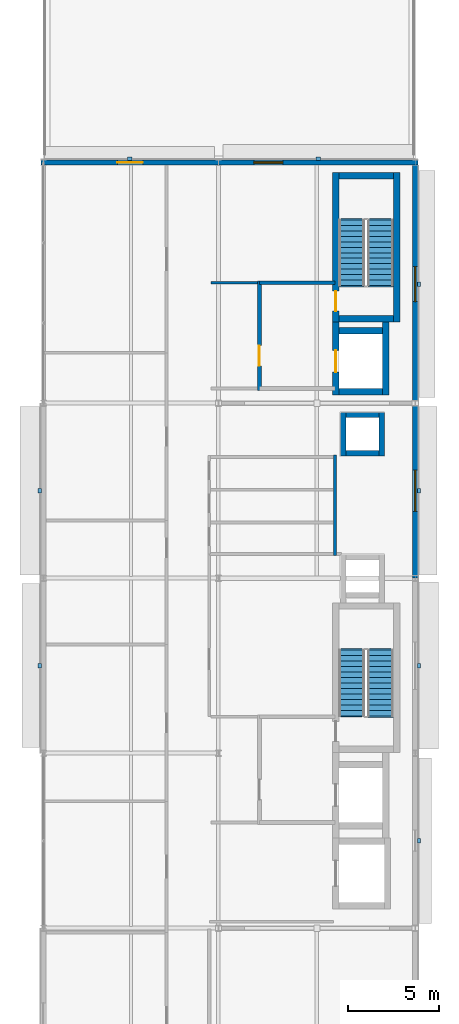
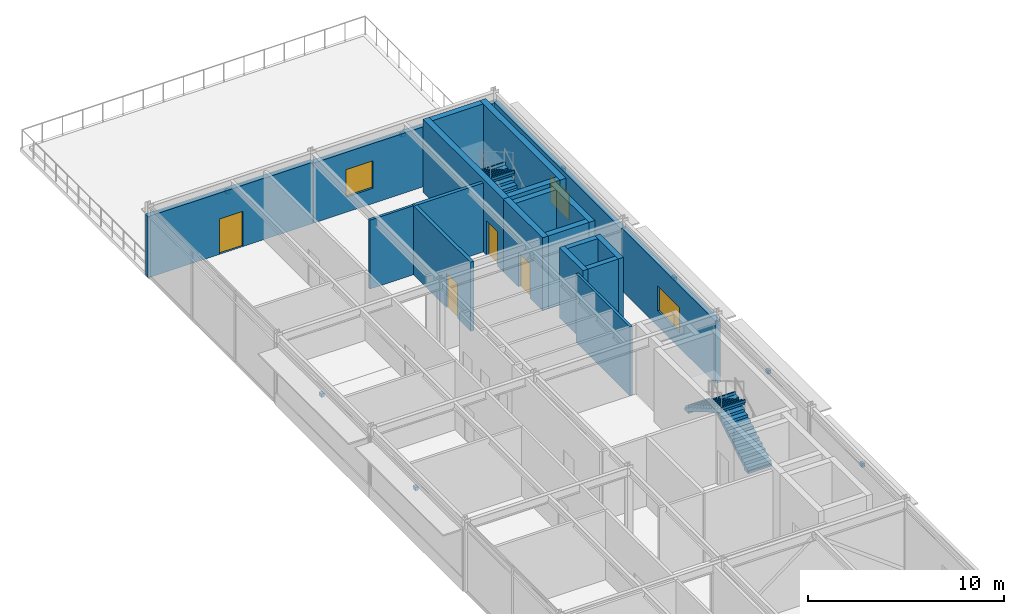
# One storey, part 15 of 18: 20 walls, 8 discrete accessories, 4 doors, 4 stair flights, 3 windows, 7 openings, 2 elements without a shape of their own.
"""IFC4 building model written with IfcOpenShell, lengths in metres."""

from ifc_helpers import new_model, si_unit, direction, frame, frame_2d, origin, origin_2d, place, context, subcontext, project, spatial, polyline, rectangle, outline, extrude, material, layer, layer_set, type_object, element, fill, aggregate, save


model = new_model("IFC4")

# Units and contexts
model_context = context("Model", 3, precision=1e-05, world=origin(), true_north=direction((0.0, 1.0)))
body_context = subcontext(model_context, "Body", "Model", "MODEL_VIEW")
ifc_project = project(units=[si_unit("LENGTHUNIT", "METRE"), si_unit("AREAUNIT", "SQUARE_METRE"), si_unit("VOLUMEUNIT", "CUBIC_METRE"), si_unit("PLANEANGLEUNIT", "RADIAN"), si_unit("MASSUNIT", "GRAM", prefix="KILO")], contexts=[model_context])

# Site, building, storey
site_placement = place(None, origin())
site = spatial("IfcSite", under=ifc_project, at=site_placement, CompositionType="ELEMENT")
building_placement = place(site_placement, origin())
building = spatial("IfcBuilding", under=site, at=building_placement, Name="Almandine Court Research Institute", CompositionType="ELEMENT")
storey_placement = place(building_placement, frame((0.0, 0.0, 37.10009765625)))
storey = spatial("IfcBuildingStorey", under=building, at=storey_placement, Name="L08", CompositionType="ELEMENT", Elevation=37.10009765625)

# Wall, opening, door
ifc_material_1 = material(Name="Insulated Ochre Terracotta Rainscreen Wall", Category="masonry")
ifc_layer_1 = layer(ifc_material_1, 0.2900390625)
ifc_layer_set_1 = layer_set([ifc_layer_1], Name="Insulated Ochre Terracotta Rainscreen Wall")
wall_type_1 = type_object("IfcWallType", Name="Wall-EXT-TERR-290", PredefinedType="SOLIDWALL", material=ifc_layer_set_1)
wall_1_placement = place(storey_placement, frame((153.455078125, 57.60009765625, 0.0), z_axis=(0.0, 0.0, 1.0), x_axis=(1.0, 0.0, 0.0)))
wall_1 = element("IfcWall", 1, at=wall_1_placement, inside=storey, type_object=wall_type_1, Name="L08 Wet Lab North Wall 1", PredefinedType="SOLIDWALL", context=body_context, shape_type="SweptSolid", body=[
    extrude(rectangle(XDim=9.740966796875, YDim=0.2900390625, at=frame_2d((4.87060546875, 0.0))), origin(), (0.0, 0.0, 1.0), 3.824951171875),
])
opening_1_placement = place(wall_1_placement, frame((4.199951171875, 0.0, 0.0)))
opening_1 = element("IfcOpeningElement", 2, at=opening_1_placement, cuts=wall_1, Name="Opening TD-01", PredefinedType="OPENING", context=body_context, shape_type="SweptSolid", body=[
    extrude(rectangle(XDim=1.39990234375, YDim=2.199951171875, at=frame_2d((0.699951171875, 1.10009765625))), frame((0.0, 0.155029296875, 0.0), z_axis=(0.0, -1.0, 0.0), x_axis=(1.0, 0.0, 0.0)), (0.0, 0.0, 1.0), 0.31005859375),
])
ifc_material_2 = material(Name="Thermally Broken Glazed Terrace Door")
door_type_1 = type_object("IfcDoorType", Name="Door-TER-1400", OperationType="DOUBLE_DOOR_SINGLE_SWING", PredefinedType="DOOR", material=ifc_material_2)
door_1_placement = place(opening_1_placement, origin())
door_1 = element("IfcDoor", 3, at=door_1_placement, inside=storey, type_object=door_type_1, Name="L08 Wet Lab North Roof Garden Door", OperationType="DOUBLE_DOOR_SINGLE_SWING", OverallHeight=2.199951171875, OverallWidth=1.39990234375, PredefinedType="DOOR", context=body_context, shape_type="SweptSolid", body=[
    extrude(rectangle(XDim=1.39990234375, YDim=2.199951171875, at=frame_2d((0.699951171875, 1.10009765625))), frame((0.0, 0.02490234375, 0.0), z_axis=(0.0, -1.0, 0.0), x_axis=(1.0, 0.0, 0.0)), (0.0, 0.0, 1.0), 0.050048828125),
])
fill(opening_1, door_1)

# Wall, opening, window
wall_2_placement = place(storey_placement, frame((163.2041015625, 57.60009765625, 0.0), z_axis=(0.0, 0.0, 1.0), x_axis=(1.0, 0.0, 0.0)))
wall_2 = element("IfcWall", 4, at=wall_2_placement, inside=storey, type_object=wall_type_1, Name="L08 Wet Lab North Wall 2", PredefinedType="SOLIDWALL", context=body_context, shape_type="SweptSolid", body=[
    extrude(rectangle(XDim=10.94091796875, YDim=0.2900390625, at=frame_2d((5.470458984375, 0.0))), origin(), (0.0, 0.0, 1.0), 3.746826171875),
])
opening_2_placement = place(wall_2_placement, frame((1.93505859375, 0.0, 0.949951171875)))
opening_2 = element("IfcOpeningElement", 5, at=opening_2_placement, cuts=wall_2, Name="Opening WN-62", PredefinedType="OPENING", context=body_context, shape_type="SweptSolid", body=[
    extrude(rectangle(XDim=1.60009765625, YDim=1.719970703125, at=frame_2d((0.800048828125, 0.85986328125))), frame((0.0, 0.155029296875, 0.0), z_axis=(0.0, -1.0, 0.0), x_axis=(1.0, 0.0, 0.0)), (0.0, 0.0, 1.0), 0.31005859375),
])
ifc_material_3 = material(Name="Thermally Broken Low-E Double-Glazed Window", Category="glass")
window_type_1 = type_object("IfcWindowType", Name="Win-WN-62-1600x1720", PartitioningType="SINGLE_PANEL", PredefinedType="WINDOW", material=ifc_material_3)
window_1_placement = place(opening_2_placement, origin())
window_1 = element("IfcWindow", 6, at=window_1_placement, inside=storey, type_object=window_type_1, Name="L08 Modular Recessed Low-E Window 185", OverallHeight=1.719970703125, OverallWidth=1.60009765625, PartitioningType="SINGLE_PANEL", PredefinedType="WINDOW", context=body_context, shape_type="SweptSolid", body=[
    extrude(rectangle(XDim=1.60009765625, YDim=1.719970703125, at=frame_2d((0.800048828125, 0.85986328125))), frame((0.0, 0.030029296875, 0.0), z_axis=(0.0, -1.0, 0.0), x_axis=(1.0, 0.0, 0.0)), (0.0, 0.0, 1.0), 0.06005859375),
])
fill(opening_2, window_1)

wall_3_placement = place(storey_placement, frame((174.0, 57.450927734375, 0.0), z_axis=(0.0, 0.0, 1.0), x_axis=(0.0, -1.0, 0.0)))
wall_3 = element("IfcWall", 7, at=wall_3_placement, inside=storey, type_object=wall_type_1, Name="L08 Wet Lab East Facade Wall 5", PredefinedType="SOLIDWALL", context=body_context, shape_type="SweptSolid", body=[
    extrude(rectangle(XDim=13.046875, YDim=0.2900390625, at=frame_2d((6.5234375, 0.0))), origin(), (0.0, 0.0, 1.0), 3.830810546875),
])
opening_3_placement = place(wall_3_placement, frame((5.55810546875, 0.0, 0.949951171875)))
opening_3 = element("IfcOpeningElement", 8, at=opening_3_placement, cuts=wall_3, Name="Opening WN-63", PredefinedType="OPENING", context=body_context, shape_type="SweptSolid", body=[
    extrude(rectangle(XDim=1.929931640625, YDim=1.639892578125, at=frame_2d((0.96484375, 0.81982421875))), frame((0.0, 0.155029296875, 0.0), z_axis=(0.0, -1.0, 0.0), x_axis=(1.0, 0.0, 0.0)), (0.0, 0.0, 1.0), 0.31005859375),
])
window_type_2 = type_object("IfcWindowType", Name="Win-WN-63-1930x1640", PartitioningType="SINGLE_PANEL", PredefinedType="WINDOW", material=ifc_material_3)
window_2_placement = place(opening_3_placement, origin())
window_2 = element("IfcWindow", 9, at=window_2_placement, inside=storey, type_object=window_type_2, Name="L08 Modular Recessed Low-E Window 186", OverallHeight=1.639892578125, OverallWidth=1.929931640625, PartitioningType="SINGLE_PANEL", PredefinedType="WINDOW", context=body_context, shape_type="SweptSolid", body=[
    extrude(rectangle(XDim=1.929931640625, YDim=1.639892578125, at=frame_2d((0.96484375, 0.81982421875))), frame((0.0, 0.030029296875, 0.0), z_axis=(0.0, -1.0, 0.0), x_axis=(1.0, 0.0, 0.0)), (0.0, 0.0, 1.0), 0.06005859375),
])
fill(opening_3, window_2)

wall_4_placement = place(storey_placement, frame((174.0, 44.39599609375, 0.0), z_axis=(0.0, 0.0, 1.0), x_axis=(0.0, -1.0, 0.0)))
wall_4 = element("IfcWall", 10, at=wall_4_placement, inside=storey, type_object=wall_type_1, Name="L08 Wet Lab East Facade Wall 4", PredefinedType="SOLIDWALL", context=body_context, shape_type="SweptSolid", body=[
    extrude(rectangle(XDim=9.592041015625, YDim=0.2900390625, at=frame_2d((4.7958984375, 0.0))), origin(), (0.0, 0.0, 1.0), 3.89892578125),
])
opening_4_placement = place(wall_4_placement, frame((3.666015625, 0.0, 0.949951171875)))
opening_4 = element("IfcOpeningElement", 11, at=opening_4_placement, cuts=wall_4, Name="Opening WN-64", PredefinedType="OPENING", context=body_context, shape_type="SweptSolid", body=[
    extrude(rectangle(XDim=2.260009765625, YDim=1.56005859375, at=frame_2d((1.1298828125, 0.780029296875))), frame((0.0, 0.155029296875, 0.0), z_axis=(0.0, -1.0, 0.0), x_axis=(1.0, 0.0, 0.0)), (0.0, 0.0, 1.0), 0.31005859375),
])
window_type_3 = type_object("IfcWindowType", Name="Win-WN-64-2260x1560", PartitioningType="SINGLE_PANEL", PredefinedType="WINDOW", material=ifc_material_3)
window_3_placement = place(opening_4_placement, origin())
window_3 = element("IfcWindow", 12, at=window_3_placement, inside=storey, type_object=window_type_3, Name="L08 Modular Recessed Low-E Window 187", OverallHeight=1.56005859375, OverallWidth=2.260009765625, PartitioningType="SINGLE_PANEL", PredefinedType="WINDOW", context=body_context, shape_type="SweptSolid", body=[
    extrude(rectangle(XDim=2.260009765625, YDim=1.56005859375, at=frame_2d((1.1298828125, 0.780029296875))), frame((0.0, 0.030029296875, 0.0), z_axis=(0.0, -1.0, 0.0), x_axis=(1.0, 0.0, 0.0)), (0.0, 0.0, 1.0), 0.06005859375),
])
fill(opening_4, window_3)

# Wall, opening, door
ifc_material_4 = material(Name="Two-Hour Fire-Barrier Enclosure Wall")
ifc_layer_2 = layer(ifc_material_4, 0.199951171875)
ifc_layer_set_2 = layer_set([ifc_layer_2], Name="Two-Hour Fire-Barrier Enclosure Wall")
wall_type_2 = type_object("IfcWallType", Name="Wall-FIRE-200", PredefinedType="SOLIDWALL", material=ifc_layer_set_2)
wall_5_placement = place(storey_placement, frame((165.449951171875, 45.10009765625, 0.0), z_axis=(0.0, 0.0, 1.0), x_axis=(0.0, 1.0, 0.0)))
wall_5 = element("IfcWall", 13, at=wall_5_placement, inside=storey, type_object=wall_type_2, Name="L08 Interior Partition W-FFL2-L08-W", PredefinedType="SOLIDWALL", context=body_context, shape_type="SweptSolid", body=[
    extrude(rectangle(XDim=6.0, YDim=0.199951171875, at=frame_2d((3.0, 0.0))), origin(), (0.0, 0.0, 1.0), 4.2998046875),
])
opening_5_placement = place(wall_5_placement, frame((1.35009765625, 0.0, 0.0)))
opening_5 = element("IfcOpeningElement", 14, at=opening_5_placement, cuts=wall_5, Name="Opening FD-FFL", PredefinedType="OPENING", context=body_context, shape_type="SweptSolid", body=[
    extrude(rectangle(XDim=1.10009765625, YDim=2.14990234375, at=frame_2d((0.550048828125, 1.074951171875))), frame((0.0, 0.10986328125, 0.0), z_axis=(0.0, -1.0, 0.0), x_axis=(1.0, 0.0, 0.0)), (0.0, 0.0, 1.0), 0.219970703125),
])
ifc_material_5 = material(Name="Smoke-Tight Firefighting Lobby Fire Door")
door_type_2 = type_object("IfcDoorType", Name="Door-FD-FFL-1100", OperationType="NOTDEFINED", PredefinedType="DOOR", material=ifc_material_5)
door_2_placement = place(opening_5_placement, origin())
door_2 = element("IfcDoor", 15, at=door_2_placement, inside=storey, type_object=door_type_2, Name="L08 Firefighting Lobby Fire Door 2", OperationType="SINGLE_SWING_RIGHT", OverallHeight=2.14990234375, OverallWidth=1.10009765625, PredefinedType="DOOR", context=body_context, shape_type="SweptSolid", body=[
    extrude(rectangle(XDim=1.10009765625, YDim=2.14990234375, at=frame_2d((0.550048828125, 1.074951171875))), frame((0.0, 0.02490234375, 0.0), z_axis=(0.0, -1.0, 0.0), x_axis=(1.0, 0.0, 0.0)), (0.0, 0.0, 1.0), 0.050048828125),
])
fill(opening_5, door_2)

# Walls
wall_6_placement = place(storey_placement, frame((165.449951171875, 51.0, 0.0), z_axis=(0.0, 0.0, 1.0), x_axis=(1.0, 0.0, 0.0)))
element("IfcWall", 16, at=wall_6_placement, inside=storey, type_object=wall_type_2, Name="L08 Interior Partition W-FFL2-L08-N", PredefinedType="SOLIDWALL", context=body_context, shape_type="SweptSolid", body=[
    extrude(rectangle(XDim=4.150146484375, YDim=0.199951171875, at=frame_2d((2.0751953125, 0.0))), origin(), (0.0, 0.0, 1.0), 4.2998046875),
])
ifc_material_6 = material(Name="Acoustic Steel-Stud Gypsum Partition Wall", Category="steel")
ifc_layer_3 = layer(ifc_material_6, 0.14990234375)
ifc_layer_set_3 = layer_set([ifc_layer_3], Name="Acoustic Steel-Stud Gypsum Partition Wall")
wall_type_3 = type_object("IfcWallType", Name="Wall-PART-150", PredefinedType="PARTITIONING", material=ifc_layer_set_3)
wall_7_placement = place(storey_placement, frame((169.60009765625, 36.050048828125, 0.0), z_axis=(0.0, 0.0, 1.0), x_axis=(0.0, 1.0, 0.0)))
element("IfcWall", 17, at=wall_7_placement, inside=storey, type_object=wall_type_3, Name="L08 Interior Partition W-V4-L08-WCEAST", PredefinedType="PARTITIONING", context=body_context, shape_type="SweptSolid", body=[
    extrude(rectangle(XDim=5.5, YDim=0.14990234375, at=frame_2d((2.75, 0.0))), origin(), (0.0, 0.0, 1.0), 4.2998046875),
])
wall_8_placement = place(storey_placement, frame((162.780029296875, 51.0, 0.0), z_axis=(0.0, 0.0, 1.0), x_axis=(1.0, 0.0, 0.0)))
element("IfcWall", 18, at=wall_8_placement, inside=storey, type_object=wall_type_3, Name="L08 Interior Partition W-V4-L08-FFL2-CN", PredefinedType="PARTITIONING", context=body_context, shape_type="SweptSolid", body=[
    extrude(rectangle(XDim=2.570068359375, YDim=0.14990234375, at=frame_2d((1.28515625, 0.0))), origin(), (0.0, 0.0, 1.0), 4.2998046875),
])
ifc_material_7 = material(Name="Concrete C40/50", Category="concrete")
ifc_layer_4 = layer(ifc_material_7, 0.300048828125)
ifc_layer_set_4 = layer_set([ifc_layer_4], Name="Concrete C40/50")
wall_type_4 = type_object("IfcWallType", Name="Wall-SW-CORE-300", PredefinedType="SHEAR", material=ifc_layer_set_4)
wall_9_placement = place(storey_placement, frame((170.050048828125, 41.5, 0.0), z_axis=(0.0, 0.0, 1.0), x_axis=(0.0, 1.0, 0.0)))
element("IfcWall", 19, at=wall_9_placement, inside=storey, type_object=wall_type_4, Name="L08 MEP Riser RS-V4B W Shear Wall", PredefinedType="SHEAR", context=body_context, shape_type="SweptSolid", body=[
    extrude(rectangle(XDim=2.39990234375, YDim=0.300048828125, at=frame_2d((1.199951171875, 0.0))), origin(), (0.0, 0.0, 1.0), 4.369873046875),
])
wall_10_placement = place(storey_placement, frame((170.199951171875, 43.75, 0.0), z_axis=(0.0, 0.0, 1.0), x_axis=(1.0, 0.0, 0.0)))
element("IfcWall", 20, at=wall_10_placement, inside=storey, type_object=wall_type_4, Name="L08 MEP Riser RS-V4B N Shear Wall", PredefinedType="SHEAR", context=body_context, shape_type="SweptSolid", body=[
    extrude(rectangle(XDim=1.800048828125, YDim=0.300048828125, at=frame_2d((0.89990234375, 0.0))), origin(), (0.0, 0.0, 1.0), 4.369873046875),
])
wall_11_placement = place(storey_placement, frame((172.14990234375, 43.89990234375, 0.0), z_axis=(0.0, 0.0, 1.0), x_axis=(0.0, -1.0, 0.0)))
element("IfcWall", 21, at=wall_11_placement, inside=storey, type_object=wall_type_4, Name="L08 MEP Riser RS-V4B E Shear Wall", PredefinedType="SHEAR", context=body_context, shape_type="SweptSolid", body=[
    extrude(rectangle(XDim=2.39990234375, YDim=0.300048828125, at=frame_2d((1.199951171875, 0.0))), origin(), (0.0, 0.0, 1.0), 4.369873046875),
])
wall_12_placement = place(storey_placement, frame((172.0, 41.64990234375, 0.0), z_axis=(0.0, 0.0, 1.0), x_axis=(-1.0, 0.0, 0.0)))
element("IfcWall", 22, at=wall_12_placement, inside=storey, type_object=wall_type_4, Name="L08 MEP Riser RS-V4B S Shear Wall", PredefinedType="SHEAR", context=body_context, shape_type="SweptSolid", body=[
    extrude(rectangle(XDim=1.800048828125, YDim=0.300048828125, at=frame_2d((0.89990234375, 0.0))), origin(), (0.0, 0.0, 1.0), 4.369873046875),
])

# Wall, opening, door
ifc_layer_5 = layer(ifc_material_7, 0.35009765625)
ifc_layer_set_5 = layer_set([ifc_layer_5], Name="Concrete C40/50")
wall_type_5 = type_object("IfcWallType", Name="Wall-SW-CORE-350", PredefinedType="SHEAR", material=ifc_layer_set_5)
wall_13_placement = place(storey_placement, frame((169.625, 48.85009765625, 0.0), z_axis=(0.0, 0.0, 1.0), x_axis=(0.0, 1.0, 0.0)))
wall_13 = element("IfcWall", 23, at=wall_13_placement, inside=storey, type_object=wall_type_5, Name="L08 ST-08 W Shear Wall", PredefinedType="SHEAR", context=body_context, shape_type="SweptSolid", body=[
    extrude(rectangle(XDim=8.199951171875, YDim=0.35009765625, at=frame_2d((4.10009765625, 0.0))), origin(), (0.0, 0.0, 1.0), 4.5498046875),
])
opening_6_placement = place(wall_13_placement, frame((0.60009765625, 0.0, 0.0)))
opening_6 = element("IfcOpeningElement", 24, at=opening_6_placement, cuts=wall_13, Name="Opening FD-STAIR", PredefinedType="OPENING", context=body_context, shape_type="SweptSolid", body=[
    extrude(rectangle(XDim=1.10009765625, YDim=2.14990234375, at=frame_2d((0.550048828125, 1.074951171875))), frame((0.0, 0.18505859375, 0.0), z_axis=(0.0, -1.0, 0.0), x_axis=(1.0, 0.0, 0.0)), (0.0, 0.0, 1.0), 0.3701171875),
])
ifc_material_8 = material(Name="Self-Closing Steel Exit Stair Fire Door", Category="steel")
door_type_3 = type_object("IfcDoorType", Name="Door-FD-STAIR-1100", OperationType="NOTDEFINED", PredefinedType="DOOR", material=ifc_material_8)
door_3_placement = place(opening_6_placement, origin())
door_3 = element("IfcDoor", 25, at=door_3_placement, inside=storey, type_object=door_type_3, Name="L08 Exit Stair ST-08 Fire Door", OperationType="SINGLE_SWING_LEFT", OverallHeight=2.14990234375, OverallWidth=1.10009765625, PredefinedType="DOOR", context=body_context, shape_type="SweptSolid", body=[
    extrude(rectangle(XDim=1.10009765625, YDim=2.14990234375, at=frame_2d((0.550048828125, 1.074951171875))), frame((0.0, 0.02490234375, 0.0), z_axis=(0.0, -1.0, 0.0), x_axis=(1.0, 0.0, 0.0)), (0.0, 0.0, 1.0), 0.050048828125),
])
fill(opening_6, door_3)

# Walls
wall_14_placement = place(storey_placement, frame((169.800048828125, 56.875, 0.0), z_axis=(0.0, 0.0, 1.0), x_axis=(1.0, 0.0, 0.0)))
element("IfcWall", 26, at=wall_14_placement, inside=storey, type_object=wall_type_5, Name="L08 ST-08 N Shear Wall", PredefinedType="SHEAR", context=body_context, shape_type="SweptSolid", body=[
    extrude(rectangle(XDim=3.0, YDim=0.35009765625, at=frame_2d((1.5, 0.0))), origin(), (0.0, 0.0, 1.0), 4.5498046875),
])
wall_15_placement = place(storey_placement, frame((172.97509765625, 57.050048828125, 0.0), z_axis=(0.0, 0.0, 1.0), x_axis=(0.0, -1.0, 0.0)))
element("IfcWall", 27, at=wall_15_placement, inside=storey, type_object=wall_type_5, Name="L08 ST-08 E Shear Wall", PredefinedType="SHEAR", context=body_context, shape_type="SweptSolid", body=[
    extrude(rectangle(XDim=8.199951171875, YDim=0.35009765625, at=frame_2d((4.10009765625, 0.0))), origin(), (0.0, 0.0, 1.0), 4.5498046875),
])
wall_16_placement = place(storey_placement, frame((172.800048828125, 49.02490234375, 0.0), z_axis=(0.0, 0.0, 1.0), x_axis=(-1.0, 0.0, 0.0)))
element("IfcWall", 28, at=wall_16_placement, inside=storey, type_object=wall_type_5, Name="L08 ST-08 S Shear Wall", PredefinedType="SHEAR", context=body_context, shape_type="SweptSolid", body=[
    extrude(rectangle(XDim=3.0, YDim=0.35009765625, at=frame_2d((1.5, 0.0))), origin(), (0.0, 0.0, 1.0), 4.5498046875),
])

# Wall, opening, door
wall_17_placement = place(storey_placement, frame((169.625, 44.85009765625, 0.0), z_axis=(0.0, 0.0, 1.0), x_axis=(0.0, 1.0, 0.0)))
wall_17 = element("IfcWall", 29, at=wall_17_placement, inside=storey, type_object=wall_type_5, Name="L08 FL-02 Hoistway W Shear Wall", PredefinedType="SHEAR", context=body_context, shape_type="SweptSolid", body=[
    extrude(rectangle(XDim=4.0, YDim=0.35009765625, at=frame_2d((2.0, 0.0))), origin(), (0.0, 0.0, 1.0), 4.5498046875),
])
opening_7_placement = place(wall_17_placement, frame((1.25, 0.0, 0.0)))
opening_7 = element("IfcOpeningElement", 30, at=opening_7_placement, cuts=wall_17, Name="Opening LD-02", PredefinedType="OPENING", context=body_context, shape_type="SweptSolid", body=[
    extrude(rectangle(XDim=1.199951171875, YDim=2.14990234375, at=frame_2d((0.60009765625, 1.074951171875))), frame((0.0, 0.18505859375, 0.0), z_axis=(0.0, -1.0, 0.0), x_axis=(1.0, 0.0, 0.0)), (0.0, 0.0, 1.0), 0.3701171875),
])
ifc_material_9 = material(Name="Firefighting Lift Landing Sliding Door")
door_type_4 = type_object("IfcDoorType", Name="Door-LD-FSAE-1200", OperationType="SLIDING_TO_LEFT", PredefinedType="USERDEFINED", material=ifc_material_9)
door_4_placement = place(opening_7_placement, origin())
door_4 = element("IfcDoor", 31, at=door_4_placement, inside=storey, type_object=door_type_4, Name="L08 Firefighting Lift FL-02 Sliding Landing Door", ObjectType="LANDING DOOR", OperationType="SLIDING_TO_LEFT", OverallHeight=2.14990234375, OverallWidth=1.199951171875, PredefinedType="USERDEFINED", context=body_context, shape_type="SweptSolid", body=[
    extrude(rectangle(XDim=1.199951171875, YDim=2.14990234375, at=frame_2d((0.60009765625, 1.074951171875))), frame((0.0, 0.02490234375, 0.0), z_axis=(0.0, -1.0, 0.0), x_axis=(1.0, 0.0, 0.0)), (0.0, 0.0, 1.0), 0.050048828125),
])
fill(opening_7, door_4)

# Walls
wall_18_placement = place(storey_placement, frame((169.800048828125, 48.375, 0.0), z_axis=(0.0, 0.0, 1.0), x_axis=(1.0, 0.0, 0.0)))
element("IfcWall", 32, at=wall_18_placement, inside=storey, type_object=wall_type_5, Name="L08 FL-02 Hoistway N Shear Wall", PredefinedType="SHEAR", context=body_context, shape_type="SweptSolid", body=[
    extrude(rectangle(XDim=2.39990234375, YDim=0.35009765625, at=frame_2d((1.199951171875, 0.0))), origin(), (0.0, 0.0, 1.0), 4.5498046875),
])
wall_19_placement = place(storey_placement, frame((172.375, 48.85009765625, 0.0), z_axis=(0.0, 0.0, 1.0), x_axis=(0.0, -1.0, 0.0)))
element("IfcWall", 33, at=wall_19_placement, inside=storey, type_object=wall_type_5, Name="L08 FL-02 Hoistway E Shear Wall", PredefinedType="SHEAR", context=body_context, shape_type="SweptSolid", body=[
    extrude(rectangle(XDim=4.0, YDim=0.35009765625, at=frame_2d((2.0, 0.0))), origin(), (0.0, 0.0, 1.0), 4.5498046875),
])
wall_20_placement = place(storey_placement, frame((172.199951171875, 45.02490234375, 0.0), z_axis=(0.0, 0.0, 1.0), x_axis=(-1.0, 0.0, 0.0)))
element("IfcWall", 34, at=wall_20_placement, inside=storey, type_object=wall_type_5, Name="L08 FL-02 Hoistway S Shear Wall", PredefinedType="SHEAR", context=body_context, shape_type="SweptSolid", body=[
    extrude(rectangle(XDim=2.39990234375, YDim=0.35009765625, at=frame_2d((1.199951171875, 0.0))), origin(), (0.0, 0.0, 1.0), 4.5498046875),
])

# Stair, stair flights
ifc_material_10 = material(Name="Concrete C35/45", Category="concrete")
stair_type = type_object("IfcStairType", Name="Stair-Core-26R", PredefinedType="HALF_TURN_STAIR", material=ifc_material_10)
stair_1_placement = place(storey_placement, origin())
stair_1 = element("IfcStair", 35, at=stair_1_placement, inside=storey, type_object=stair_type, Name="L08 Wet Lab South High-Rise Core Stair", PredefinedType="HALF_TURN_STAIR")
stair_flight_type = type_object("IfcStairFlightType", Name="Flight-Core-26R", PredefinedType="STRAIGHT", material=ifc_material_10)
stair_flight_1_placement = place(storey_placement, frame((172.090087890625, 27.25, 0.0), z_axis=(0.0, 0.0, 1.0), x_axis=(0.0, 1.0, 0.0)))
stair_flight_1 = element("IfcStairFlight", 36, at=stair_flight_1_placement, type_object=stair_flight_type, Name="ST-07 flight 1", NumberOfRisers=13, NumberOfTreads=12, PredefinedType="STRAIGHT", RiserHeight=0.175, TreadLength=0.3, context=body_context, shape_type="SweptSolid", body=[
    extrude(outline(polyline([(-0.080078125, -0.139892578125), (-0.080078125, 0.0), (0.0, 0.0), (0.0, 0.175048828125), (0.300048828125, 0.175048828125), (0.300048828125, 0.35009765625), (0.60009765625, 0.35009765625), (0.60009765625, 0.52490234375), (0.89990234375, 0.52490234375), (0.89990234375, 0.699951171875), (1.199951171875, 0.699951171875), (1.199951171875, 0.875), (1.5, 0.875), (1.5, 1.050048828125), (1.800048828125, 1.050048828125), (1.800048828125, 1.22509765625), (2.10009765625, 1.22509765625), (2.10009765625, 1.39990234375), (2.39990234375, 1.39990234375), (2.39990234375, 1.574951171875), (2.699951171875, 1.574951171875), (2.699951171875, 1.75), (3.0, 1.75), (3.0, 1.925048828125), (3.300048828125, 1.925048828125), (3.300048828125, 2.10009765625), (3.60009765625, 2.10009765625), (3.60009765625, 2.27490234375), (3.679931640625, 2.27490234375), (3.679931640625, 2.114990234375), (3.60009765625, 1.914794921875), (0.3173828125, 0.0), (0.3173828125, -0.139892578125), (-0.080078125, -0.139892578125)])), frame((0.0, 0.7099609375, 0.0), z_axis=(0.0, -1.0, 0.0), x_axis=(1.0, 0.0, 0.0)), (0.0, 0.0, 1.0), 1.419921875),
])
stair_flight_2_placement = place(storey_placement, frame((170.510009765625, 30.85009765625, 2.27490234375), z_axis=(0.0, 0.0, 1.0), x_axis=(0.0, -1.0, 0.0)))
stair_flight_2 = element("IfcStairFlight", 37, at=stair_flight_2_placement, type_object=stair_flight_type, Name="ST-07 flight 2", NumberOfRisers=13, NumberOfTreads=12, PredefinedType="STRAIGHT", RiserHeight=0.175, TreadLength=0.3, context=body_context, shape_type="SweptSolid", body=[
    extrude(outline(polyline([(-0.080078125, -0.139892578125), (-0.080078125, 0.0), (0.0, 0.0), (0.0, 0.175048828125), (0.300048828125, 0.175048828125), (0.300048828125, 0.35009765625), (0.60009765625, 0.35009765625), (0.60009765625, 0.52490234375), (0.89990234375, 0.52490234375), (0.89990234375, 0.699951171875), (1.199951171875, 0.699951171875), (1.199951171875, 0.875), (1.5, 0.875), (1.5, 1.050048828125), (1.800048828125, 1.050048828125), (1.800048828125, 1.22509765625), (2.10009765625, 1.22509765625), (2.10009765625, 1.39990234375), (2.39990234375, 1.39990234375), (2.39990234375, 1.574951171875), (2.699951171875, 1.574951171875), (2.699951171875, 1.75), (3.0, 1.75), (3.0, 1.925048828125), (3.300048828125, 1.925048828125), (3.300048828125, 2.10009765625), (3.60009765625, 2.10009765625), (3.60009765625, 2.27490234375), (3.679931640625, 2.27490234375), (3.679931640625, 2.114990234375), (3.60009765625, 1.914794921875), (0.3173828125, 0.0), (0.3173828125, -0.139892578125), (-0.080078125, -0.139892578125)])), frame((0.0, 0.7099609375, 0.0), z_axis=(0.0, -1.0, 0.0), x_axis=(1.0, 0.0, 0.0)), (0.0, 0.0, 1.0), 1.419921875),
])
aggregate(stair_1, [stair_flight_1, stair_flight_2])

stair_2_placement = place(storey_placement, origin())
stair_2 = element("IfcStair", 38, at=stair_2_placement, inside=storey, type_object=stair_type, Name="L08 Wet Lab Central High-Rise Core Stair", PredefinedType="HALF_TURN_STAIR")
stair_flight_3_placement = place(storey_placement, frame((172.090087890625, 50.85009765625, 0.0), z_axis=(0.0, 0.0, 1.0), x_axis=(0.0, 1.0, 0.0)))
stair_flight_3 = element("IfcStairFlight", 39, at=stair_flight_3_placement, type_object=stair_flight_type, Name="ST-08 flight 1", NumberOfRisers=13, NumberOfTreads=12, PredefinedType="STRAIGHT", RiserHeight=0.175, TreadLength=0.3, context=body_context, shape_type="SweptSolid", body=[
    extrude(outline(polyline([(-0.080078125, -0.139892578125), (-0.080078125, 0.0), (0.0, 0.0), (0.0, 0.175048828125), (0.300048828125, 0.175048828125), (0.300048828125, 0.35009765625), (0.60009765625, 0.35009765625), (0.60009765625, 0.52490234375), (0.89990234375, 0.52490234375), (0.89990234375, 0.699951171875), (1.199951171875, 0.699951171875), (1.199951171875, 0.875), (1.5, 0.875), (1.5, 1.050048828125), (1.800048828125, 1.050048828125), (1.800048828125, 1.22509765625), (2.10009765625, 1.22509765625), (2.10009765625, 1.39990234375), (2.39990234375, 1.39990234375), (2.39990234375, 1.574951171875), (2.699951171875, 1.574951171875), (2.699951171875, 1.75), (3.0, 1.75), (3.0, 1.925048828125), (3.300048828125, 1.925048828125), (3.300048828125, 2.10009765625), (3.60009765625, 2.10009765625), (3.60009765625, 2.27490234375), (3.679931640625, 2.27490234375), (3.679931640625, 2.114990234375), (3.60009765625, 1.914794921875), (0.3173828125, 0.0), (0.3173828125, -0.139892578125), (-0.080078125, -0.139892578125)])), frame((0.0, 0.7099609375, 0.0), z_axis=(0.0, -1.0, 0.0), x_axis=(1.0, 0.0, 0.0)), (0.0, 0.0, 1.0), 1.419921875),
])
stair_flight_4_placement = place(storey_placement, frame((170.510009765625, 54.449951171875, 2.27490234375), z_axis=(0.0, 0.0, 1.0), x_axis=(0.0, -1.0, 0.0)))
stair_flight_4 = element("IfcStairFlight", 40, at=stair_flight_4_placement, type_object=stair_flight_type, Name="ST-08 flight 2", NumberOfRisers=13, NumberOfTreads=12, PredefinedType="STRAIGHT", RiserHeight=0.175, TreadLength=0.3, context=body_context, shape_type="SweptSolid", body=[
    extrude(outline(polyline([(-0.080078125, -0.139892578125), (-0.080078125, 0.0), (0.0, 0.0), (0.0, 0.175048828125), (0.300048828125, 0.175048828125), (0.300048828125, 0.35009765625), (0.60009765625, 0.35009765625), (0.60009765625, 0.52490234375), (0.89990234375, 0.52490234375), (0.89990234375, 0.699951171875), (1.199951171875, 0.699951171875), (1.199951171875, 0.875), (1.5, 0.875), (1.5, 1.050048828125), (1.800048828125, 1.050048828125), (1.800048828125, 1.22509765625), (2.10009765625, 1.22509765625), (2.10009765625, 1.39990234375), (2.39990234375, 1.39990234375), (2.39990234375, 1.574951171875), (2.699951171875, 1.574951171875), (2.699951171875, 1.75), (3.0, 1.75), (3.0, 1.925048828125), (3.300048828125, 1.925048828125), (3.300048828125, 2.10009765625), (3.60009765625, 2.10009765625), (3.60009765625, 2.27490234375), (3.679931640625, 2.27490234375), (3.679931640625, 2.114990234375), (3.60009765625, 1.914794921875), (0.3173828125, 0.0), (0.3173828125, -0.139892578125), (-0.080078125, -0.139892578125)])), frame((0.0, 0.7099609375, 0.0), z_axis=(0.0, -1.0, 0.0), x_axis=(1.0, 0.0, 0.0)), (0.0, 0.0, 1.0), 1.419921875),
])
aggregate(stair_2, [stair_flight_3, stair_flight_4])

# Discrete accessories
ifc_material_11 = material(Name="Galvanised Steel Facade Outrigger Bracket", Category="steel")
ifc_layer_6 = layer(ifc_material_11, 0.219970703125)
ifc_layer_set_6 = layer_set([ifc_layer_6], Name="Galvanised Steel Facade Outrigger Bracket")
discrete_accessory_type = type_object("IfcDiscreteAccessoryType", Name="Acc-CHJ-BRACKET", PredefinedType="BRACKET", material=ifc_layer_set_6)
for number, where, z_axis, x_axis, name in (
    (41, (153.39501953125, 30.0, 3.47802734375), (0.0, 0.0, 1.0), (0.0, 1.0, 0.0), "L08 Chhajja Outrigger Bracket 159"),
    (42, (153.39501953125, 39.60009765625, 3.47802734375), (0.0, 0.0, 1.0), (0.0, 1.0, 0.0), "L08 Chhajja Outrigger Bracket 160"),
    (43, (158.325927734375, 57.804931640625, 3.39501953125), (0.0, 0.0, 1.0), (1.0, 0.0, 0.0), "L08 Chhajja Outrigger Bracket 161"),
    (44, (168.675048828125, 57.804931640625, 3.31689453125), (0.0, 0.0, 1.0), (1.0, 0.0, 0.0), "L08 Chhajja Outrigger Bracket 162"),
    (45, (174.205078125, 50.927978515625, 3.40087890625), (0.0, 0.0, 1.0), (0.0, -1.0, 0.0), "L08 Chhajja Outrigger Bracket 163"),
    (46, (174.205078125, 39.60009765625, 3.46875), (0.0, 0.0, 1.0), (0.0, -1.0, 0.0), "L08 Chhajja Outrigger Bracket 164"),
    (47, (174.205078125, 30.0, 3.46875), (0.0, 0.0, 1.0), (0.0, -1.0, 0.0), "L08 Chhajja Outrigger Bracket 165"),
    (48, (174.205078125, 20.39990234375, 3.46875), (0.0, 0.0, 1.0), (0.0, -1.0, 0.0), "L08 Chhajja Outrigger Bracket 166"),
):
    element("IfcDiscreteAccessory", number, at=place(storey_placement, frame(where, z_axis=z_axis, x_axis=x_axis)), inside=storey, type_object=discrete_accessory_type, Name=name, PredefinedType="BRACKET", context=body_context, shape_type="SweptSolid", body=[
        extrude(rectangle(XDim=0.239990234375, YDim=0.179931640625, at=origin_2d()), origin(), (0.0, 0.0, 1.0), 0.219970703125),
    ])

save(model, "model.ifc")
